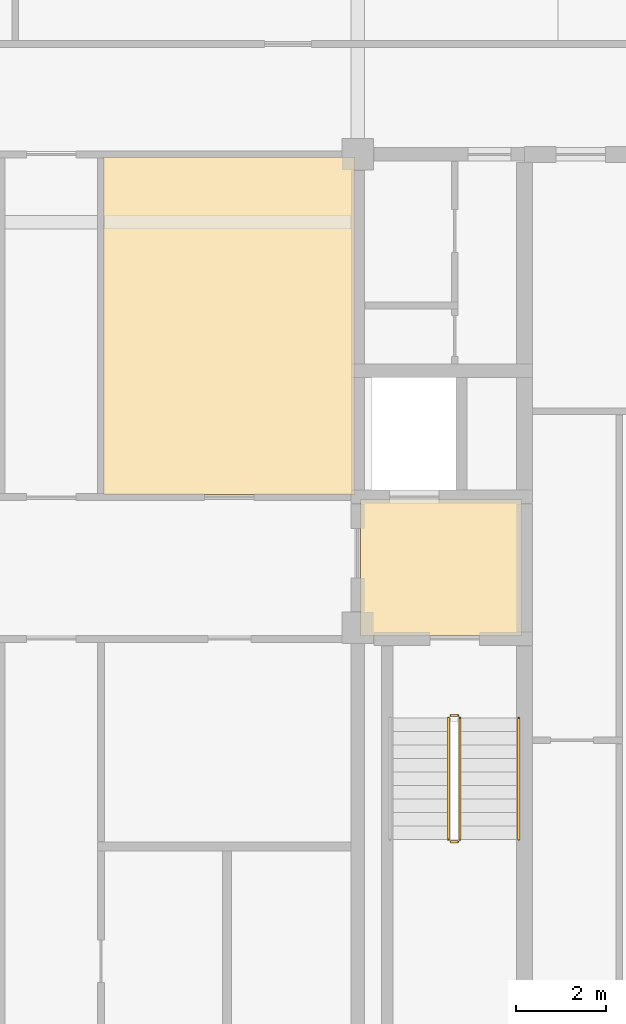
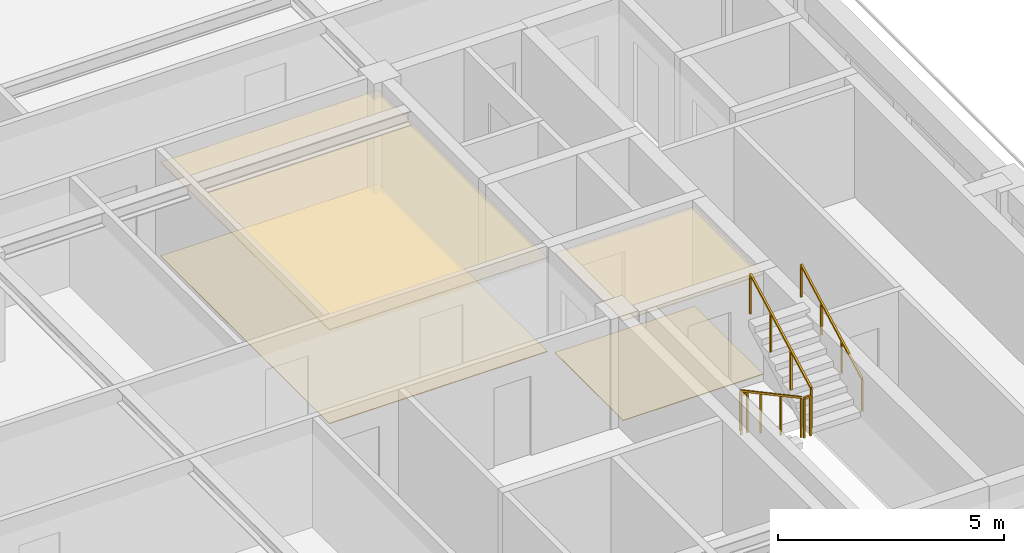
# One storey, part 10 of 11: 5 railings, 4 coverings.
"""IFC4 building model written with IfcOpenShell, lengths in metres."""

from ifc_helpers import new_model, si_unit, direction, frame, origin, origin_2d, place, context, subcontext, project, spatial, polyline, rectangle, outline, extrude, material, layer, layer_set, type_object, element, save


model = new_model("IFC4")

# Units and contexts
model_context = context("Model", 3, precision=1e-05, world=origin(), true_north=direction((0.0, 1.0)))
body_context = subcontext(model_context, "Body", "Model", "MODEL_VIEW")
ifc_project = project(units=[si_unit("LENGTHUNIT", "METRE"), si_unit("AREAUNIT", "SQUARE_METRE"), si_unit("VOLUMEUNIT", "CUBIC_METRE"), si_unit("PLANEANGLEUNIT", "RADIAN"), si_unit("MASSUNIT", "GRAM", prefix="KILO")], contexts=[model_context])

# Site, building, storey
site_placement = place(None, origin())
site = spatial("IfcSite", under=ifc_project, at=site_placement, CompositionType="ELEMENT")
building_placement = place(site_placement, origin())
building = spatial("IfcBuilding", under=site, at=building_placement, Name="Zulmaris Gate Convention Tower", CompositionType="ELEMENT")
storey_placement = place(building_placement, frame((0.0, 0.0, 260.889892578125)))
storey = spatial("IfcBuildingStorey", under=building, at=storey_placement, Name="L69", CompositionType="ELEMENT", Elevation=260.889892578125)

# Coverings
ifc_material_1 = material(Name="Mineral Fibre Acoustic Ceiling Tile")
ifc_layer_1 = layer(ifc_material_1, 0.02001953125, Name="Mineral Fibre Acoustic Ceiling Tile")
ifc_layer_set_1 = layer_set([ifc_layer_1], Name="Mineral Fibre Acoustic Ceiling Tile")
covering_type_1 = type_object("IfcCoveringType", Name="CLG-ACOUSTIC-600", PredefinedType="CEILING", material=ifc_layer_set_1)
covering_1_placement = place(storey_placement, frame((0.0, 0.0, 2.699951171875)))
element("IfcCovering", 1, at=covering_1_placement, inside=storey, type_object=covering_type_1, Name="CLG-L69-R08", PredefinedType="CEILING", context=body_context, shape_type="SweptSolid", body=[
    extrude(outline(polyline([(11.06005859375, -0.18994140625), (14.639892578125, -0.18994140625), (14.639892578125, 2.840087890625), (11.06005859375, 2.840087890625), (11.06005859375, -0.18994140625)])), origin(), (0.0, 0.0, 1.0), 0.02001953125),
])
covering_2_placement = place(storey_placement, frame((0.0, 0.0, 2.5380859375)))
element("IfcCovering", 2, at=covering_2_placement, inside=storey, type_object=covering_type_1, Name="CLG-L69-R43", PredefinedType="CEILING", context=body_context, shape_type="SweptSolid", body=[
    extrude(outline(polyline([(5.360107421875, 2.9599609375), (10.93994140625, 2.9599609375), (10.93994140625, 10.43994140625), (5.360107421875, 10.43994140625), (5.360107421875, 2.9599609375)])), origin(), (0.0, 0.0, 1.0), 0.02001953125),
])
ifc_material_2 = material(Name="Woven Acoustic Wool Carpet Tile")
ifc_layer_2 = layer(ifc_material_2, 0.02001953125, Name="Woven Acoustic Wool Carpet Tile")
ifc_layer_set_2 = layer_set([ifc_layer_2], Name="Woven Acoustic Wool Carpet Tile")
covering_type_2 = type_object("IfcCoveringType", Name="FLR-CARPET-12", PredefinedType="FLOORING", material=ifc_layer_set_2)
covering_3_placement = place(storey_placement, origin())
element("IfcCovering", 3, at=covering_3_placement, inside=storey, type_object=covering_type_2, Name="FLR-L69-R08", PredefinedType="FLOORING", context=body_context, shape_type="SweptSolid", body=[
    extrude(outline(polyline([(11.06005859375, -0.18994140625), (14.639892578125, -0.18994140625), (14.639892578125, 2.840087890625), (11.06005859375, 2.840087890625), (11.06005859375, -0.18994140625)])), origin(), (0.0, 0.0, 1.0), 0.02001953125),
])
covering_4_placement = place(storey_placement, origin())
element("IfcCovering", 4, at=covering_4_placement, inside=storey, type_object=covering_type_2, Name="FLR-L69-R43", PredefinedType="FLOORING", context=body_context, shape_type="SweptSolid", body=[
    extrude(outline(polyline([(5.360107421875, 2.9599609375), (10.93994140625, 2.9599609375), (10.93994140625, 10.43994140625), (5.360107421875, 10.43994140625), (5.360107421875, 2.9599609375)])), origin(), (0.0, 0.0, 1.0), 0.02001953125),
])

# Railings
ifc_material_3 = material(Name="Painted Galvanised Steel", Category="steel")
railing_type_1 = type_object("IfcRailingType", Name="RL-STG-1150", PredefinedType="GUARDRAIL", material=ifc_material_3)
railing_1_placement = place(storey_placement, frame((13.010009765625, -2.0, 0.16162109375)))
element("IfcRailing", 5, at=railing_1_placement, inside=storey, type_object=railing_type_1, Name="L69 ST-2 stair guard 1", PredefinedType="GUARDRAIL", context=body_context, shape_type="SweptSolid", body=[
    extrude(rectangle(XDim=0.048095703125, YDim=0.048095703125, at=origin_2d()), frame((0.0, 0.0, 1.076171875), z_axis=(0.0, -0.880532452117, 0.47398586558), x_axis=(1.0, 0.0, 0.0)), (0.0, 0.0, 1.0), 3.066162109375),
    extrude(rectangle(XDim=0.0419921875, YDim=0.0419921875, at=origin_2d()), origin(), (0.0, 0.0, 1.0), 1.052001953125),
    extrude(rectangle(XDim=0.0419921875, YDim=0.0419921875, at=origin_2d()), frame((0.0, -0.89990234375, 0.484375)), (0.0, 0.0, 1.0), 1.052001953125),
    extrude(rectangle(XDim=0.0419921875, YDim=0.0419921875, at=origin_2d()), frame((0.0, -1.800048828125, 0.968994140625)), (0.0, 0.0, 1.0), 1.052001953125),
    extrude(rectangle(XDim=0.0419921875, YDim=0.0419921875, at=origin_2d()), frame((0.0, -2.699951171875, 1.453369140625)), (0.0, 0.0, 1.0), 1.052001953125),
])
railing_2_placement = place(storey_placement, frame((13.06005859375, -4.75, 1.614990234375)))
element("IfcRailing", 6, at=railing_2_placement, inside=storey, type_object=railing_type_1, Name="L69 ST-2 stair guard 2", PredefinedType="GUARDRAIL", context=body_context, shape_type="SweptSolid", body=[
    extrude(rectangle(XDim=0.048095703125, YDim=0.048095703125, at=origin_2d()), frame((0.0, 0.0, 1.076171875), z_axis=(1.0, 0.0, 0.0), x_axis=(0.0, 1.0, 0.0)), (0.0, 0.0, 1.0), 0.159912109375),
    extrude(rectangle(XDim=0.0419921875, YDim=0.0419921875, at=origin_2d()), origin(), (0.0, 0.0, 1.0), 1.052001953125),
    extrude(rectangle(XDim=0.0419921875, YDim=0.0419921875, at=origin_2d()), frame((0.159912109375, 0.0, 0.0)), (0.0, 0.0, 1.0), 1.052001953125),
])
railing_3_placement = place(storey_placement, frame((13.27001953125, -4.699951171875, 1.776611328125)))
element("IfcRailing", 7, at=railing_3_placement, inside=storey, type_object=railing_type_1, Name="L69 ST-2 stair guard 3", PredefinedType="GUARDRAIL", context=body_context, shape_type="SweptSolid", body=[
    extrude(rectangle(XDim=0.048095703125, YDim=0.048095703125, at=origin_2d()), frame((0.0, 0.0, 1.076171875), z_axis=(0.0, 0.880532452117, 0.47398586558), x_axis=(-1.0, 0.0, 0.0)), (0.0, 0.0, 1.0), 3.066162109375),
    extrude(rectangle(XDim=0.0419921875, YDim=0.0419921875, at=origin_2d()), origin(), (0.0, 0.0, 1.0), 1.052001953125),
    extrude(rectangle(XDim=0.0419921875, YDim=0.0419921875, at=origin_2d()), frame((0.0, 0.89990234375, 0.484375)), (0.0, 0.0, 1.0), 1.052001953125),
    extrude(rectangle(XDim=0.0419921875, YDim=0.0419921875, at=origin_2d()), frame((0.0, 1.800048828125, 0.968994140625)), (0.0, 0.0, 1.0), 1.052001953125),
    extrude(rectangle(XDim=0.0419921875, YDim=0.0419921875, at=origin_2d()), frame((0.0, 2.699951171875, 1.453369140625)), (0.0, 0.0, 1.0), 1.052001953125),
])
railing_4_placement = place(storey_placement, frame((13.06005859375, -1.949951171875, 0.0)))
element("IfcRailing", 8, at=railing_4_placement, inside=storey, type_object=railing_type_1, Name="L69 ST-2 stair guard 4", PredefinedType="GUARDRAIL", context=body_context, shape_type="SweptSolid", body=[
    extrude(rectangle(XDim=0.048095703125, YDim=0.048095703125, at=origin_2d()), frame((0.0, 0.0, 1.076171875), z_axis=(1.0, 0.0, 0.0), x_axis=(0.0, 1.0, 0.0)), (0.0, 0.0, 1.0), 0.159912109375),
    extrude(rectangle(XDim=0.0419921875, YDim=0.0419921875, at=origin_2d()), origin(), (0.0, 0.0, 1.0), 1.052001953125),
    extrude(rectangle(XDim=0.0419921875, YDim=0.0419921875, at=origin_2d()), frame((0.159912109375, 0.0, 0.0)), (0.0, 0.0, 1.0), 1.052001953125),
])
ifc_material_4 = material(Name="Brushed Stainless Steel", Category="steel")
railing_type_2 = type_object("IfcRailingType", Name="RL-STH-900", PredefinedType="HANDRAIL", material=ifc_material_4)
railing_5_placement = place(storey_placement, frame((14.570068359375, -4.699951171875, 1.776611328125)))
element("IfcRailing", 9, at=railing_5_placement, inside=storey, type_object=railing_type_2, Name="L69 ST-2 stair handrail 2", PredefinedType="HANDRAIL", context=body_context, shape_type="SweptSolid", body=[
    extrude(rectangle(XDim=0.048095703125, YDim=0.048095703125, at=origin_2d()), frame((0.0, 0.0, 0.8759765625), z_axis=(0.0, 0.880532452117, 0.47398586558), x_axis=(-1.0, 0.0, 0.0)), (0.0, 0.0, 1.0), 3.066162109375),
    extrude(rectangle(XDim=0.0419921875, YDim=0.0419921875, at=origin_2d()), origin(), (0.0, 0.0, 1.0), 0.851806640625),
    extrude(rectangle(XDim=0.0419921875, YDim=0.0419921875, at=origin_2d()), frame((0.0, 0.89990234375, 0.484375)), (0.0, 0.0, 1.0), 0.851806640625),
    extrude(rectangle(XDim=0.0419921875, YDim=0.0419921875, at=origin_2d()), frame((0.0, 1.800048828125, 0.968994140625)), (0.0, 0.0, 1.0), 0.851806640625),
    extrude(rectangle(XDim=0.0419921875, YDim=0.0419921875, at=origin_2d()), frame((0.0, 2.699951171875, 1.453369140625)), (0.0, 0.0, 1.0), 0.851806640625),
])

save(model, "model.ifc")
